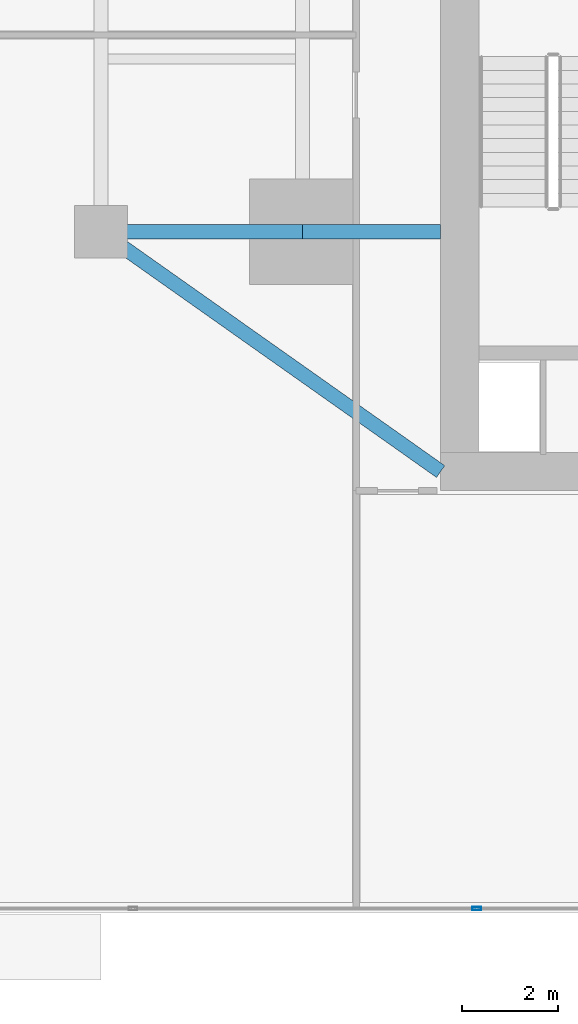
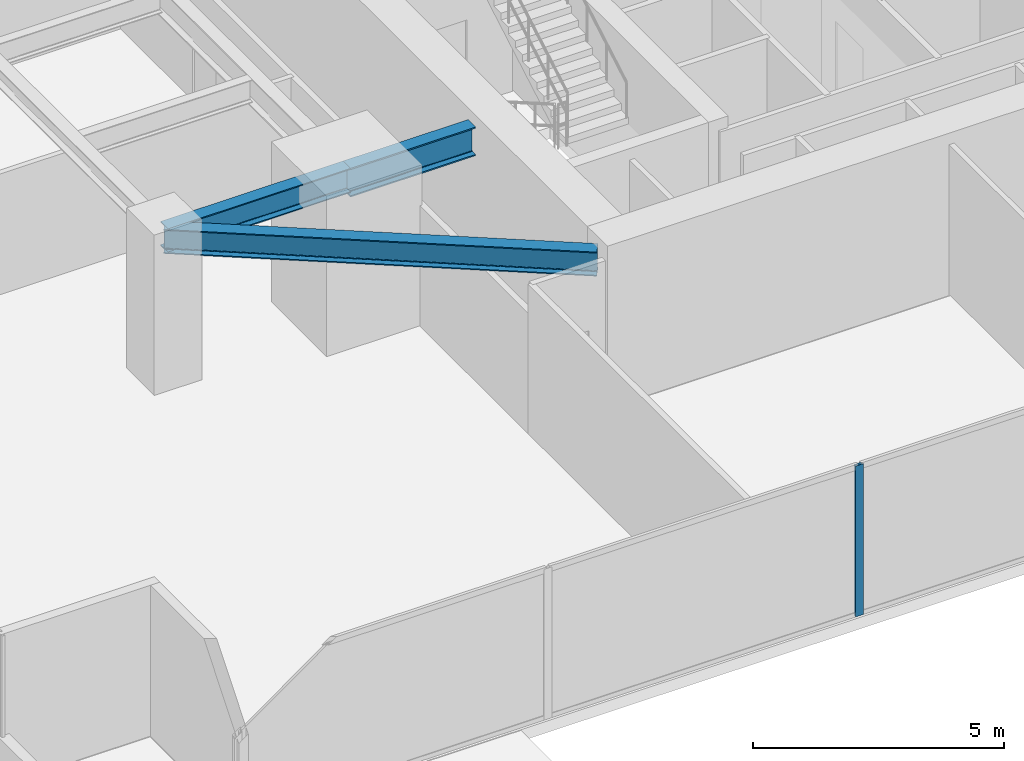
# One storey, part 5 of 30: 3 beams, 1 member, 1 element without a shape of its own.
"""IFC4 building model written with IfcOpenShell, lengths in metres."""

from ifc_helpers import new_model, si_unit, direction, frame, origin, origin_2d, place, context, subcontext, project, spatial, hollow_rectangle, i_section, extrude, source, transform, mapped, material, material_profile, profile_set, type_object, type_shapes, element, aggregate, save


model = new_model("IFC4")

# Units and contexts
model_context = context("Model", 3, precision=1e-05, world=origin(), true_north=direction((0.0, 1.0)))
body_context = subcontext(model_context, "Body", "Model", "MODEL_VIEW")
ifc_project = project(units=[si_unit("LENGTHUNIT", "METRE"), si_unit("AREAUNIT", "SQUARE_METRE"), si_unit("VOLUMEUNIT", "CUBIC_METRE"), si_unit("PLANEANGLEUNIT", "RADIAN"), si_unit("MASSUNIT", "GRAM", prefix="KILO")], contexts=[model_context])

# Site, building, storey
site_placement = place(None, origin())
site = spatial("IfcSite", under=ifc_project, at=site_placement, CompositionType="ELEMENT")
building_placement = place(site_placement, origin())
building = spatial("IfcBuilding", under=site, at=building_placement, Name="Krantzveldt Concourse Tower", CompositionType="ELEMENT")
storey_placement = place(building_placement, frame((0.0, 0.0, 25.0)))
storey = spatial("IfcBuildingStorey", under=building, at=storey_placement, Name="L05", CompositionType="ELEMENT", Elevation=25.0)

# Beams
ifc_material_1 = material(Name="Steel S355J2", Category="steel")
ifc_material_profile_1 = material_profile(ifc_material_1, i_section(OverallWidth=0.300048828125, OverallDepth=0.699951171875, WebThickness=0.01708984375, FlangeThickness=0.031982421875, FilletRadius=0.027099609375, at=origin_2d()), Name="Steel S355J2", Category="steel")
ifc_profile_set_1 = profile_set([ifc_material_profile_1], Name="Steel S355J2 - HEB 700")
beam_type_1 = type_object("IfcBeamType", Name="BM-B-HEB700", PredefinedType="BEAM", material=ifc_profile_set_1)
shared_shape_1 = source(origin(), body_context, "Body", "SweptSolid", [
    extrude(i_section(OverallWidth=0.300048828125, OverallDepth=0.699951171875, WebThickness=0.01708984375, FlangeThickness=0.031982421875, FilletRadius=0.027099609375, at=origin_2d()), origin(), (0.0, 0.0, 1.0), 2.880126953125),
])
type_shapes(beam_type_1, [shared_shape_1])
beam_1_placement = place(storey_placement, frame((25.199951171875, 15.89990234375, 3.320068359375), z_axis=(1.0, 0.0, 0.0), x_axis=(0.0, 1.0, 0.0)))
element("IfcBeam", 1, at=beam_1_placement, inside=storey, type_object=beam_type_1, Name="L05 Tower Girder BG-CW1", PredefinedType="BEAM", context=body_context, shape_type="MappedRepresentation", body=[
    mapped(shared_shape_1, transform((0.0, 0.0, 0.0), x_axis=(1.0, 0.0, 0.0), y_axis=(0.0, 1.0, 0.0), z_axis=(0.0, 0.0, 1.0), scale=1.0)),
])
ifc_material_2 = material(Name="Steel S355JR", Category="steel")
ifc_material_profile_2 = material_profile(ifc_material_2, i_section(OverallWidth=0.300048828125, OverallDepth=0.590087890625, WebThickness=0.012939453125, FlangeThickness=0.02490234375, FilletRadius=0.027099609375, at=origin_2d()), Name="Steel S355JR", Category="steel")
ifc_profile_set_2 = profile_set([ifc_material_profile_2], Name="Steel S355JR - HEA 600")
beam_type_2 = type_object("IfcBeamType", Name="BM-B-HEA600", PredefinedType="BEAM", material=ifc_profile_set_2)
shared_shape_2 = source(origin(), body_context, "Body", "SweptSolid", [
    extrude(i_section(OverallWidth=0.300048828125, OverallDepth=0.590087890625, WebThickness=0.012939453125, FlangeThickness=0.02490234375, FilletRadius=0.027099609375, at=origin_2d()), origin(), (0.0, 0.0, 1.0), 4.199951171875),
])
beam_2_placement = place(storey_placement, frame((21.0, 15.89990234375, 3.375), z_axis=(1.0, 0.0, 0.0), x_axis=(0.0, 1.0, 0.0)))
element("IfcBeam", 2, at=beam_2_placement, inside=storey, type_object=beam_type_2, Name="L05 Tower Girder BR-RL1", PredefinedType="BEAM", context=body_context, shape_type="MappedRepresentation", body=[
    mapped(shared_shape_2, transform((0.0, 0.0, 0.0), x_axis=(1.0, 0.0, 0.0), y_axis=(0.0, 1.0, 0.0), z_axis=(0.0, 0.0, 1.0), scale=1.0)),
])
shared_shape_3 = source(origin(), body_context, "Body", "SweptSolid", [
    extrude(i_section(OverallWidth=0.300048828125, OverallDepth=0.590087890625, WebThickness=0.012939453125, FlangeThickness=0.02490234375, FilletRadius=0.027099609375, at=origin_2d()), origin(), (0.0, 0.0, 1.0), 8.667724609375),
])
type_shapes(beam_type_2, [shared_shape_2, shared_shape_3])
beam_3_placement = place(storey_placement, frame((21.0, 15.89990234375, 3.375), z_axis=(0.81684294656, -0.576860122261, 0.0), x_axis=(0.576860122261, 0.81684294656, 0.0)))
element("IfcBeam", 3, at=beam_3_placement, inside=storey, type_object=beam_type_2, Name="L05 Tower Girder BR-CSW", PredefinedType="BEAM", context=body_context, shape_type="MappedRepresentation", body=[
    mapped(shared_shape_3, transform((0.0, 0.0, 0.0), x_axis=(1.0, 0.0, 0.0), y_axis=(0.0, 1.0, 0.0), z_axis=(0.0, 0.0, 1.0), scale=1.0)),
])

# Curtain wall, member
ifc_material_3 = material(Name="Anodised aluminium 6063-T6", Category="aluminium")
curtain_wall_type = type_object("IfcCurtainWallType", Name="CW2", PredefinedType="USERDEFINED", material=ifc_material_3)
curtain_wall_placement = place(storey_placement, origin())
curtain_wall = element("IfcCurtainWall", 4, at=curtain_wall_placement, inside=storey, type_object=curtain_wall_type, Name="CW-L05-F04", ObjectType="UNITISED CURTAIN WALL", PredefinedType="USERDEFINED")
ifc_material_profile_3 = material_profile(ifc_material_3, hollow_rectangle(XDim=0.070068359375, YDim=0.179931640625, WallThickness=0.0048828125, at=origin_2d()), Name="Anodised aluminium 6063-T6", Category="aluminium")
ifc_profile_set_3 = profile_set([ifc_material_profile_3], Name="Anodised aluminium 6063-T6 - ALU-MULL 180x70x5")
member_type = type_object("IfcMemberType", Name="CW-MUL-180", PredefinedType="MULLION", material=ifc_profile_set_3)
shared_shape_4 = source(origin(), body_context, "Body", "SweptSolid", [
    extrude(hollow_rectangle(XDim=0.070068359375, YDim=0.179931640625, WallThickness=0.0048828125, at=origin_2d()), origin(), (0.0, 0.0, 1.0), 3.669921875),
])
type_shapes(member_type, [shared_shape_4])
member_placement = place(storey_placement, frame((28.833251953125, 1.7900390625, 0.0), z_axis=(0.0, 0.0, 1.0), x_axis=(0.0, 1.0, 0.0)))
member = element("IfcMember", 5, at=member_placement, type_object=member_type, Name="CW-Z12 mullion 3", PredefinedType="MULLION", context=body_context, shape_type="MappedRepresentation", body=[
    mapped(shared_shape_4, transform((0.0, 0.0, 0.0), x_axis=(1.0, 0.0, 0.0), y_axis=(0.0, 1.0, 0.0), z_axis=(0.0, 0.0, 1.0), scale=1.0)),
])
aggregate(curtain_wall, [member])

save(model, "model.ifc")
